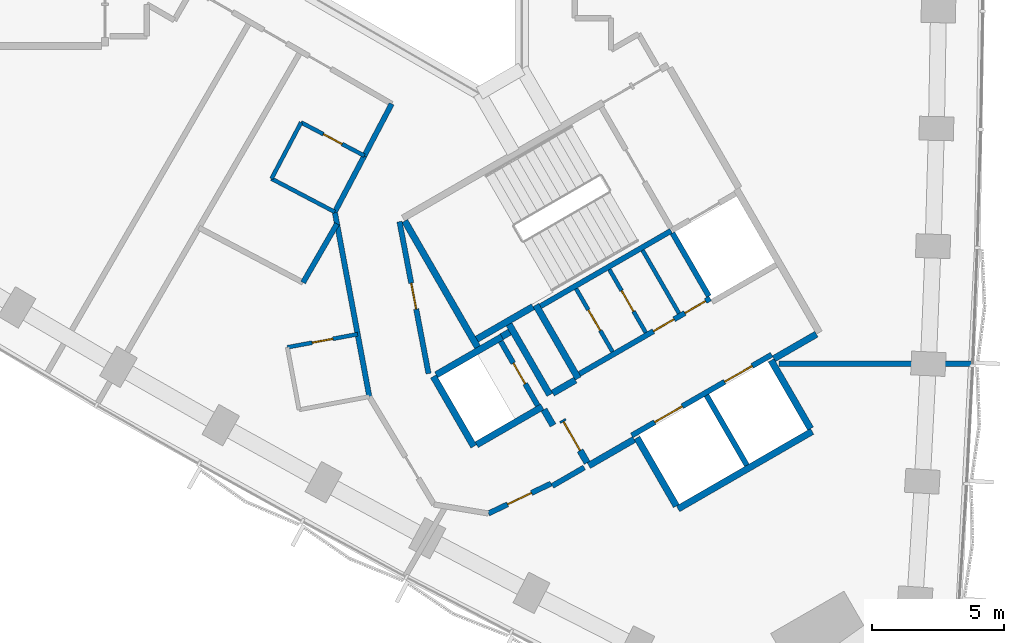
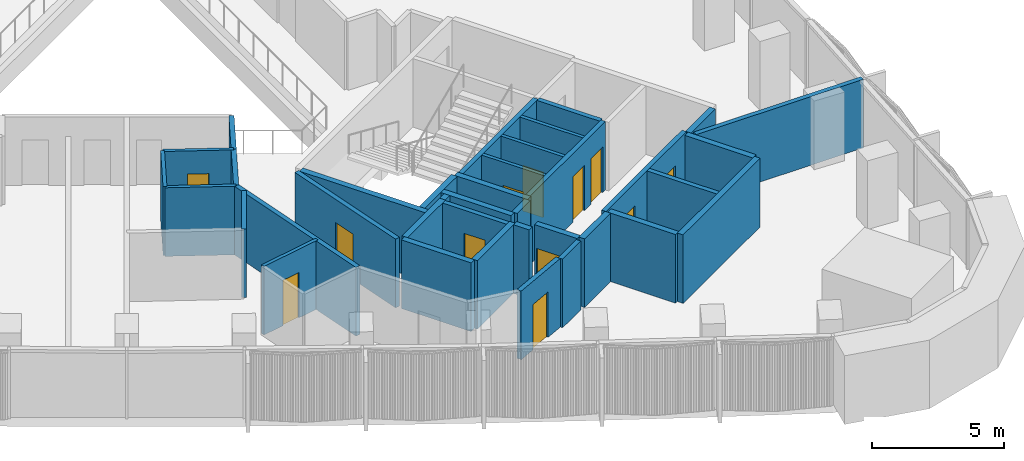
# One storey, part 8 of 15: 37 walls, 12 doors, 12 openings.
"""IFC4 building model written with IfcOpenShell, lengths in metres."""

from ifc_helpers import new_model, si_unit, direction, frame, frame_2d, origin, place, context, subcontext, project, spatial, rectangle, extrude, material, layer, layer_set, type_object, element, fill, save


model = new_model("IFC4")

# Units and contexts
model_context = context("Model", 3, precision=1e-05, world=origin(), true_north=direction((0.0, 1.0)))
body_context = subcontext(model_context, "Body", "Model", "MODEL_VIEW")
ifc_project = project(units=[si_unit("LENGTHUNIT", "METRE"), si_unit("AREAUNIT", "SQUARE_METRE"), si_unit("VOLUMEUNIT", "CUBIC_METRE"), si_unit("PLANEANGLEUNIT", "RADIAN"), si_unit("MASSUNIT", "GRAM", prefix="KILO")], contexts=[model_context])

# Site, building, storey
site_placement = place(None, origin())
site = spatial("IfcSite", under=ifc_project, at=site_placement, CompositionType="ELEMENT")
building_placement = place(site_placement, origin())
building = spatial("IfcBuilding", under=site, at=building_placement, Name="Tamra Quay Hotel Tower", CompositionType="ELEMENT")
storey_placement = place(building_placement, frame((0.0, 0.0, 86.60009765625)))
storey = spatial("IfcBuildingStorey", under=building, at=storey_placement, Name="L20", CompositionType="ELEMENT", Elevation=86.60009765625)

# Wall, openings, doors
ifc_material_1 = material(Name="Concrete M70", Category="concrete")
ifc_layer_1 = layer(ifc_material_1, 0.199951171875)
ifc_layer_set_1 = layer_set([ifc_layer_1], Name="Concrete M70 core wall 200")
wall_type_1 = type_object("IfcWallType", Name="Concrete M70 core wall 200", PredefinedType="SHEAR", material=ifc_layer_set_1)
wall_1_placement = place(storey_placement, frame((9.052490234375, -20.479736328125, 0.0), z_axis=(0.0, 0.0, 1.0), x_axis=(0.866030299012, 0.499991521122, 0.0)))
wall_1 = element("IfcWall", 1, at=wall_1_placement, inside=storey, type_object=wall_type_1, Name="CW2", PredefinedType="SHEAR", context=body_context, shape_type="SweptSolid", body=[
    extrude(rectangle(XDim=6.10009765625, YDim=0.199951171875, at=frame_2d((3.050048828125, 0.0))), origin(), (0.0, 0.0, 1.0), 3.1748046875),
])
opening_1_placement = place(wall_1_placement, frame((1.0, 0.0, 0.0)))
opening_1 = element("IfcOpeningElement", 2, at=opening_1_placement, cuts=wall_1, Name="Opening LD", PredefinedType="OPENING", context=body_context, shape_type="SweptSolid", body=[
    extrude(rectangle(XDim=1.199951171875, YDim=2.10009765625, at=frame_2d((0.60009765625, 1.050048828125))), frame((0.0, 0.10986328125, 0.0), z_axis=(0.0, -1.0, 0.0), x_axis=(1.0, 0.0, 0.0)), (0.0, 0.0, 1.0), 0.219970703125),
])
opening_2_placement = place(wall_1_placement, frame((4.05029296875, 0.0, 0.0)))
opening_2 = element("IfcOpeningElement", 3, at=opening_2_placement, cuts=wall_1, Name="Opening LD", PredefinedType="OPENING", context=body_context, shape_type="SweptSolid", body=[
    extrude(rectangle(XDim=1.199951171875, YDim=2.10009765625, at=frame_2d((0.60009765625, 1.050048828125))), frame((0.0, 0.10986328125, 0.0), z_axis=(0.0, -1.0, 0.0), x_axis=(1.0, 0.0, 0.0)), (0.0, 0.0, 1.0), 0.219970703125),
])
ifc_material_2 = material(Name="Landing door LD 1200 double door sliding")
door_type_1 = type_object("IfcDoorType", Name="Landing door LD 1200 double door sliding", OperationType="DOUBLE_DOOR_SLIDING", PredefinedType="DOOR", material=ifc_material_2)
door_1_placement = place(opening_1_placement, origin())
door_1 = element("IfcDoor", 4, at=door_1_placement, inside=storey, type_object=door_type_1, Name="LD", OperationType="DOUBLE_DOOR_SLIDING", OverallHeight=2.10009765625, OverallWidth=1.199951171875, PredefinedType="DOOR", context=body_context, shape_type="SweptSolid", body=[
    extrude(rectangle(XDim=1.199951171875, YDim=2.10009765625, at=frame_2d((0.60009765625, 1.050048828125))), frame((0.0, 0.02490234375, 0.0), z_axis=(0.0, -1.0, 0.0), x_axis=(1.0, 0.0, 0.0)), (0.0, 0.0, 1.0), 0.050048828125),
])
fill(opening_1, door_1)
door_2_placement = place(opening_2_placement, origin())
door_2 = element("IfcDoor", 5, at=door_2_placement, inside=storey, type_object=door_type_1, Name="LD", OperationType="DOUBLE_DOOR_SLIDING", OverallHeight=2.10009765625, OverallWidth=1.199951171875, PredefinedType="DOOR", context=body_context, shape_type="SweptSolid", body=[
    extrude(rectangle(XDim=1.199951171875, YDim=2.10009765625, at=frame_2d((0.60009765625, 1.050048828125))), frame((0.0, 0.02490234375, 0.0), z_axis=(0.0, -1.0, 0.0), x_axis=(1.0, 0.0, 0.0)), (0.0, 0.0, 1.0), 0.050048828125),
])
fill(opening_2, door_2)

# Wall
wall_2_placement = place(storey_placement, frame((10.537841796875, -12.751953125, 0.0), z_axis=(0.0, 0.0, 1.0), x_axis=(-0.866038630372, -0.499977090179, 0.0)))
element("IfcWall", 6, at=wall_2_placement, inside=storey, type_object=wall_type_1, Name="CW2", PredefinedType="SHEAR", context=body_context, shape_type="SweptSolid", body=[
    extrude(rectangle(XDim=5.698974609375, YDim=0.199951171875, at=frame_2d((2.849609375, 0.0))), origin(), (0.0, 0.0, 1.0), 3.1748046875),
])

# Wall, openings, doors
wall_3_placement = place(storey_placement, frame((7.0771484375, -18.156005859375, 0.0), z_axis=(0.0, 0.0, 1.0), x_axis=(0.866038630372, 0.499977090179, 0.0)))
wall_3 = element("IfcWall", 7, at=wall_3_placement, inside=storey, type_object=wall_type_1, Name="CW2", PredefinedType="SHEAR", context=body_context, shape_type="SweptSolid", body=[
    extrude(rectangle(XDim=5.698974609375, YDim=0.199951171875, at=frame_2d((2.849609375, 0.0))), origin(), (0.0, 0.0, 1.0), 3.1748046875),
])
opening_3_placement = place(wall_3_placement, frame((3.22412109375, 0.0, 0.0)))
opening_3 = element("IfcOpeningElement", 8, at=opening_3_placement, cuts=wall_3, Name="Opening D2", PredefinedType="OPENING", context=body_context, shape_type="SweptSolid", body=[
    extrude(rectangle(XDim=0.89990234375, YDim=2.10009765625, at=frame_2d((0.449951171875, 1.050048828125))), frame((0.0, 0.10986328125, 0.0), z_axis=(0.0, -1.0, 0.0), x_axis=(1.0, 0.0, 0.0)), (0.0, 0.0, 1.0), 0.219970703125),
])
opening_4_placement = place(wall_3_placement, frame((4.59912109375, 0.0, 0.0)))
opening_4 = element("IfcOpeningElement", 9, at=opening_4_placement, cuts=wall_3, Name="Opening D2", PredefinedType="OPENING", context=body_context, shape_type="SweptSolid", body=[
    extrude(rectangle(XDim=0.89990234375, YDim=2.10009765625, at=frame_2d((0.449951171875, 1.050048828125))), frame((0.0, 0.10986328125, 0.0), z_axis=(0.0, -1.0, 0.0), x_axis=(1.0, 0.0, 0.0)), (0.0, 0.0, 1.0), 0.219970703125),
])
ifc_material_3 = material(Name="Core door D2 900x2100 LH")
door_type_2 = type_object("IfcDoorType", Name="Core door D2 900x2100 LH", OperationType="NOTDEFINED", PredefinedType="DOOR", material=ifc_material_3)
door_3_placement = place(opening_3_placement, origin())
door_3 = element("IfcDoor", 10, at=door_3_placement, inside=storey, type_object=door_type_2, Name="D2", OperationType="SINGLE_SWING_LEFT", OverallHeight=2.10009765625, OverallWidth=0.89990234375, PredefinedType="DOOR", context=body_context, shape_type="SweptSolid", body=[
    extrude(rectangle(XDim=0.89990234375, YDim=2.10009765625, at=frame_2d((0.449951171875, 1.050048828125))), frame((0.0, 0.02490234375, 0.0), z_axis=(0.0, -1.0, 0.0), x_axis=(1.0, 0.0, 0.0)), (0.0, 0.0, 1.0), 0.050048828125),
])
fill(opening_3, door_3)
ifc_material_4 = material(Name="Core door D2 900x2100 RH")
door_type_3 = type_object("IfcDoorType", Name="Core door D2 900x2100 RH", OperationType="NOTDEFINED", PredefinedType="DOOR", material=ifc_material_4)
door_4_placement = place(opening_4_placement, origin())
door_4 = element("IfcDoor", 11, at=door_4_placement, inside=storey, type_object=door_type_3, Name="D2", OperationType="SINGLE_SWING_RIGHT", OverallHeight=2.10009765625, OverallWidth=0.89990234375, PredefinedType="DOOR", context=body_context, shape_type="SweptSolid", body=[
    extrude(rectangle(XDim=0.89990234375, YDim=2.10009765625, at=frame_2d((0.449951171875, 1.050048828125))), frame((0.0, 0.02490234375, 0.0), z_axis=(0.0, -1.0, 0.0), x_axis=(1.0, 0.0, 0.0)), (0.0, 0.0, 1.0), 0.050048828125),
])
fill(opening_4, door_4)

# Wall
wall_4_placement = place(storey_placement, frame((11.87451171875, -18.967041015625, 0.0), z_axis=(0.0, 0.0, 1.0), x_axis=(0.49998131003, -0.866036194175, 0.0)))
element("IfcWall", 12, at=wall_4_placement, inside=storey, type_object=wall_type_1, Name="CW2", PredefinedType="SHEAR", context=body_context, shape_type="SweptSolid", body=[
    extrude(rectangle(XDim=3.0478515625, YDim=0.199951171875, at=frame_2d((1.52392578125, 0.0))), origin(), (0.0, 0.0, 1.0), 3.1748046875),
])

# Wall, opening, door
wall_5_placement = place(storey_placement, frame((5.50341796875, -19.352294921875, 0.0), z_axis=(0.0, 0.0, 1.0), x_axis=(-0.499986818241, 0.866033014143, 0.0)))
wall_5 = element("IfcWall", 13, at=wall_5_placement, inside=storey, type_object=wall_type_1, Name="CW2", PredefinedType="SHEAR", context=body_context, shape_type="SweptSolid", body=[
    extrude(rectangle(XDim=2.7978515625, YDim=0.199951171875, at=frame_2d((1.39892578125, 0.0))), origin(), (0.0, 0.0, 1.0), 3.1748046875),
])
opening_5_placement = place(wall_5_placement, frame((0.948974609375, 0.0, 0.0)))
opening_5 = element("IfcOpeningElement", 14, at=opening_5_placement, cuts=wall_5, Name="Opening D1", PredefinedType="OPENING", context=body_context, shape_type="SweptSolid", body=[
    extrude(rectangle(XDim=0.89990234375, YDim=2.10009765625, at=frame_2d((0.449951171875, 1.050048828125))), frame((0.0, 0.10986328125, 0.0), z_axis=(0.0, -1.0, 0.0), x_axis=(1.0, 0.0, 0.0)), (0.0, 0.0, 1.0), 0.219970703125),
])
ifc_material_5 = material(Name="Core door D1 900x2100 LH")
door_type_4 = type_object("IfcDoorType", Name="Core door D1 900x2100 LH", OperationType="NOTDEFINED", PredefinedType="DOOR", material=ifc_material_5)
door_5_placement = place(opening_5_placement, origin())
door_5 = element("IfcDoor", 15, at=door_5_placement, inside=storey, type_object=door_type_4, Name="D1", OperationType="SINGLE_SWING_LEFT", OverallHeight=2.10009765625, OverallWidth=0.89990234375, PredefinedType="DOOR", context=body_context, shape_type="SweptSolid", body=[
    extrude(rectangle(XDim=0.89990234375, YDim=2.10009765625, at=frame_2d((0.449951171875, 1.050048828125))), frame((0.0, 0.02490234375, 0.0), z_axis=(0.0, -1.0, 0.0), x_axis=(1.0, 0.0, 0.0)), (0.0, 0.0, 1.0), 0.050048828125),
])
fill(opening_5, door_5)

# Walls
wall_6_placement = place(storey_placement, frame((11.962646484375, -15.219970703125, 0.0), z_axis=(0.0, 0.0, 1.0), x_axis=(-0.500034990121, 0.866005201286, 0.0)))
element("IfcWall", 16, at=wall_6_placement, inside=storey, type_object=wall_type_1, Name="CW2", PredefinedType="SHEAR", context=body_context, shape_type="SweptSolid", body=[
    extrude(rectangle(XDim=2.749755859375, YDim=0.199951171875, at=frame_2d((1.375, 0.0))), origin(), (0.0, 0.0, 1.0), 3.1748046875),
])
ifc_layer_2 = layer(ifc_material_1, 0.25)
ifc_layer_set_2 = layer_set([ifc_layer_2], Name="Concrete M70 core wall 250")
wall_type_2 = type_object("IfcWallType", Name="Concrete M70 core wall 250", PredefinedType="SHEAR", material=ifc_layer_set_2)
wall_7_placement = place(storey_placement, frame((15.86474609375, -20.328369140625, 0.0), z_axis=(0.0, 0.0, 1.0), x_axis=(-0.86602852612, -0.499994591916, 0.0)))
element("IfcWall", 17, at=wall_7_placement, inside=storey, type_object=wall_type_2, Name="CW1", PredefinedType="SHEAR", context=body_context, shape_type="SweptSolid", body=[
    extrude(rectangle(XDim=5.85009765625, YDim=0.25, at=frame_2d((2.925048828125, 0.0))), origin(), (0.0, 0.0, 1.0), 3.1748046875),
])
wall_8_placement = place(storey_placement, frame((3.23486328125, -17.15283203125, 0.0), z_axis=(0.0, 0.0, 1.0), x_axis=(-0.500008851346, 0.866020293397, 0.0)))
element("IfcWall", 18, at=wall_8_placement, inside=storey, type_object=wall_type_2, Name="CW1", PredefinedType="SHEAR", context=body_context, shape_type="SweptSolid", body=[
    extrude(rectangle(XDim=5.509765625, YDim=0.25, at=frame_2d((2.7548828125, 0.0))), origin(), (0.0, 0.0, 1.0), 3.1748046875),
])
wall_9_placement = place(storey_placement, frame((7.030517578125, -18.327392578125, 0.0), z_axis=(0.0, 0.0, 1.0), x_axis=(-0.499971222258, 0.866042017984, 0.0)))
element("IfcWall", 19, at=wall_9_placement, inside=storey, type_object=wall_type_2, Name="CW1", PredefinedType="SHEAR", context=body_context, shape_type="SweptSolid", body=[
    extrude(rectangle(XDim=3.199951171875, YDim=0.25, at=frame_2d((1.60009765625, 0.0))), origin(), (0.0, 0.0, 1.0), 3.1748046875),
])
for number, where, z_axis, x_axis, name in (
    (20, (14.314697265625, -17.643798828125, 0.0), (0.0, 0.0, 1.0), (0.500023226632, -0.866011993467, 0.0), "CW1"),
    (21, (10.73583984375, -23.144775390625, 0.0), (0.0, 0.0, 1.0), (-0.500023226632, 0.866011993467, 0.0), "CW1"),
):
    element("IfcWall", number, at=place(storey_placement, frame(where, z_axis=z_axis, x_axis=x_axis)), inside=storey, type_object=wall_type_2, Name=name, PredefinedType="SHEAR", context=body_context, shape_type="SweptSolid", body=[
        extrude(rectangle(XDim=2.974365234375, YDim=0.25, at=frame_2d((1.4873046875, 0.0))), origin(), (0.0, 0.0, 1.0), 3.1748046875),
    ])
wall_10_placement = place(storey_placement, frame((3.085205078125, -20.893798828125, 0.0), z_axis=(0.0, 0.0, 1.0), x_axis=(-0.499978833458, 0.866037623948, 0.0)))
element("IfcWall", 22, at=wall_10_placement, inside=storey, type_object=wall_type_2, Name="CW1", PredefinedType="SHEAR", context=body_context, shape_type="SweptSolid", body=[
    extrude(rectangle(XDim=3.050048828125, YDim=0.25, at=frame_2d((1.52490234375, 0.0))), origin(), (0.0, 0.0, 1.0), 3.1748046875),
])
wall_11_placement = place(storey_placement, frame((1.6689453125, -18.189697265625, 0.0), z_axis=(0.0, 0.0, 1.0), x_axis=(0.866042235819, 0.499970844928, 0.0)))
element("IfcWall", 23, at=wall_11_placement, inside=storey, type_object=wall_type_2, Name="CW1", PredefinedType="SHEAR", context=body_context, shape_type="SweptSolid", body=[
    extrude(rectangle(XDim=2.864501953125, YDim=0.25, at=frame_2d((1.43212890625, 0.0))), origin(), (0.0, 0.0, 1.0), 3.1748046875),
])
wall_12_placement = place(storey_placement, frame((5.6748046875, -19.39892578125, 0.0), z_axis=(0.0, 0.0, 1.0), x_axis=(-0.866026637627, -0.499997862916, 0.0)))
element("IfcWall", 24, at=wall_12_placement, inside=storey, type_object=wall_type_2, Name="CW1", PredefinedType="SHEAR", context=body_context, shape_type="SweptSolid", body=[
    extrude(rectangle(XDim=2.86474609375, YDim=0.25, at=frame_2d((1.432373046875, 0.0))), origin(), (0.0, 0.0, 1.0), 3.1748046875),
])
wall_13_placement = place(storey_placement, frame((4.414306640625, -16.275634765625, 0.0), z_axis=(0.0, 0.0, 1.0), x_axis=(0.500003324108, -0.866023484601, 0.0)))
element("IfcWall", 25, at=wall_13_placement, inside=storey, type_object=wall_type_2, Name="CW1", PredefinedType="SHEAR", context=body_context, shape_type="SweptSolid", body=[
    extrude(rectangle(XDim=3.0849609375, YDim=0.25, at=frame_2d((1.54248046875, 0.0))), origin(), (0.0, 0.0, 1.0), 3.1748046875),
])
wall_14_placement = place(storey_placement, frame((5.322021484375, -15.618896484375, 0.0), z_axis=(0.0, 0.0, 1.0), x_axis=(-0.866026229868, -0.499998569178, 0.0)))
element("IfcWall", 26, at=wall_14_placement, inside=storey, type_object=wall_type_2, Name="CW1", PredefinedType="SHEAR", context=body_context, shape_type="SweptSolid", body=[
    extrude(rectangle(XDim=2.44921875, YDim=0.25, at=frame_2d((1.224609375, 0.0))), origin(), (0.0, 0.0, 1.0), 3.1748046875),
])
wall_15_placement = place(storey_placement, frame((9.139892578125, -20.63134765625, 0.0), z_axis=(0.0, 0.0, 1.0), x_axis=(-0.866043531843, -0.499968599967, 0.0)))
element("IfcWall", 27, at=wall_15_placement, inside=storey, type_object=wall_type_2, Name="CW1", PredefinedType="SHEAR", context=body_context, shape_type="SweptSolid", body=[
    extrude(rectangle(XDim=1.974853515625, YDim=0.25, at=frame_2d((0.9873046875, 0.0))), origin(), (0.0, 0.0, 1.0), 3.1748046875),
])
wall_16_placement = place(storey_placement, frame((16.024658203125, -16.656494140625, 0.0), z_axis=(0.0, 0.0, 1.0), x_axis=(-0.866016279763, -0.500015802937, 0.0)))
element("IfcWall", 28, at=wall_16_placement, inside=storey, type_object=wall_type_2, Name="CW1", PredefinedType="SHEAR", context=body_context, shape_type="SweptSolid", body=[
    extrude(rectangle(XDim=1.84912109375, YDim=0.25, at=frame_2d((0.924560546875, 0.0))), origin(), (0.0, 0.0, 1.0), 3.1748046875),
])

# Wall, opening, door
wall_17_placement = place(storey_placement, frame((7.3671875, -21.51025390625, 0.0), z_axis=(0.0, 0.0, 1.0), x_axis=(-0.499983108224, 0.866035156036, 0.0)))
wall_17 = element("IfcWall", 29, at=wall_17_placement, inside=storey, type_object=wall_type_2, Name="CW1", PredefinedType="SHEAR", context=body_context, shape_type="SweptSolid", body=[
    extrude(rectangle(XDim=1.86474609375, YDim=0.25, at=frame_2d((0.932373046875, 0.0))), origin(), (0.0, 0.0, 1.0), 3.1748046875),
])
opening_6_placement = place(wall_17_placement, frame((0.53466796875, 0.0, 0.0)))
opening_6 = element("IfcOpeningElement", 30, at=opening_6_placement, cuts=wall_17, Name="Opening FD3", PredefinedType="OPENING", context=body_context, shape_type="SweptSolid", body=[
    extrude(rectangle(XDim=1.25, YDim=2.10009765625, at=frame_2d((0.625, 1.050048828125))), frame((0.0, 0.135009765625, 0.0), z_axis=(0.0, -1.0, 0.0), x_axis=(1.0, 0.0, 0.0)), (0.0, 0.0, 1.0), 0.27001953125),
])
ifc_material_6 = material(Name="Core door FD3 1250x2100 LH")
door_type_5 = type_object("IfcDoorType", Name="Core door FD3 1250x2100 LH", OperationType="NOTDEFINED", PredefinedType="DOOR", material=ifc_material_6)
door_6_placement = place(opening_6_placement, origin())
door_6 = element("IfcDoor", 31, at=door_6_placement, inside=storey, type_object=door_type_5, Name="FD3", OperationType="SINGLE_SWING_LEFT", OverallHeight=2.10009765625, OverallWidth=1.25, PredefinedType="DOOR", context=body_context, shape_type="SweptSolid", body=[
    extrude(rectangle(XDim=1.25, YDim=2.10009765625, at=frame_2d((0.625, 1.050048828125))), frame((0.0, 0.02490234375, 0.0), z_axis=(0.0, -1.0, 0.0), x_axis=(1.0, 0.0, 0.0)), (0.0, 0.0, 1.0), 0.050048828125),
])
fill(opening_6, door_6)

# Walls
wall_18_placement = place(storey_placement, frame((6.0654296875, -18.884765625, 0.0), z_axis=(0.0, 0.0, 1.0), x_axis=(0.866017078145, 0.500014420154, 0.0)))
element("IfcWall", 32, at=wall_18_placement, inside=storey, type_object=wall_type_2, Name="CW1", PredefinedType="SHEAR", context=body_context, shape_type="SweptSolid", body=[
    extrude(rectangle(XDim=0.9892578125, YDim=0.25, at=frame_2d((0.49462890625, 0.0))), origin(), (0.0, 0.0, 1.0), 3.1748046875),
])
wall_19_placement = place(storey_placement, frame((6.07958984375, -20.100341796875, 0.0), z_axis=(0.0, 0.0, 1.0), x_axis=(-0.500051773299, 0.865995510393, 0.0)))
element("IfcWall", 33, at=wall_19_placement, inside=storey, type_object=wall_type_2, Name="CW1", PredefinedType="SHEAR", context=body_context, shape_type="SweptSolid", body=[
    extrude(rectangle(XDim=0.6845703125, YDim=0.25, at=frame_2d((0.34228515625, 0.0))), origin(), (0.0, 0.0, 1.0), 3.1748046875),
])
wall_20_placement = place(storey_placement, frame((4.144775390625, -16.748779296875, 0.0), z_axis=(0.0, 0.0, 1.0), x_axis=(0.866185586049, 0.49972245349, 0.0)))
element("IfcWall", 34, at=wall_20_placement, inside=storey, type_object=wall_type_2, Name="CW1", PredefinedType="SHEAR", context=body_context, shape_type="SweptSolid", body=[
    extrude(rectangle(XDim=0.344482421875, YDim=0.25, at=frame_2d((0.17236328125, 0.0))), origin(), (0.0, 0.0, 1.0), 3.1748046875),
])

# Wall, opening, door
ifc_material_7 = material(Name="Blockwork", Category="masonry")
ifc_layer_3 = layer(ifc_material_7, 0.14990234375)
ifc_layer_set_3 = layer_set([ifc_layer_3], Name="Core partition block 150")
wall_type_3 = type_object("IfcWallType", Name="Core partition block 150", PredefinedType="PARTITIONING", material=ifc_layer_set_3)
wall_21_placement = place(storey_placement, frame((8.20654296875, -14.214111328125, 0.0), z_axis=(0.0, 0.0, 1.0), x_axis=(0.50002746344, -0.86600954718, 0.0)))
wall_21 = element("IfcWall", 35, at=wall_21_placement, inside=storey, type_object=wall_type_3, Name="CP1", PredefinedType="PARTITIONING", context=body_context, shape_type="SweptSolid", body=[
    extrude(rectangle(XDim=2.748291015625, YDim=0.14990234375, at=frame_2d((1.3740234375, 0.0))), origin(), (0.0, 0.0, 1.0), 3.1748046875),
])
opening_7_placement = place(wall_21_placement, frame((0.92431640625, 0.0, 0.0)))
opening_7 = element("IfcOpeningElement", 36, at=opening_7_placement, cuts=wall_21, Name="Opening D2", PredefinedType="OPENING", context=body_context, shape_type="SweptSolid", body=[
    extrude(rectangle(XDim=0.89990234375, YDim=2.10009765625, at=frame_2d((0.449951171875, 1.050048828125))), frame((0.0, 0.0849609375, 0.0), z_axis=(0.0, -1.0, 0.0), x_axis=(1.0, 0.0, 0.0)), (0.0, 0.0, 1.0), 0.169921875),
])
door_7_placement = place(opening_7_placement, origin())
door_7 = element("IfcDoor", 37, at=door_7_placement, inside=storey, type_object=door_type_3, Name="D2", OperationType="SINGLE_SWING_RIGHT", OverallHeight=2.10009765625, OverallWidth=0.89990234375, PredefinedType="DOOR", context=body_context, shape_type="SweptSolid", body=[
    extrude(rectangle(XDim=0.89990234375, YDim=2.10009765625, at=frame_2d((0.449951171875, 1.050048828125))), frame((0.0, 0.02490234375, 0.0), z_axis=(0.0, -1.0, 0.0), x_axis=(1.0, 0.0, 0.0)), (0.0, 0.0, 1.0), 0.050048828125),
])
fill(opening_7, door_7)

# Wall
wall_22_placement = place(storey_placement, frame((9.46240234375, -13.489013671875, 0.0), z_axis=(0.0, 0.0, 1.0), x_axis=(0.499988999718, -0.866031754707, 0.0)))
element("IfcWall", 38, at=wall_22_placement, inside=storey, type_object=wall_type_3, Name="CP1", PredefinedType="PARTITIONING", context=body_context, shape_type="SweptSolid", body=[
    extrude(rectangle(XDim=2.74853515625, YDim=0.14990234375, at=frame_2d((1.374267578125, 0.0))), origin(), (0.0, 0.0, 1.0), 3.1748046875),
])

# Wall, opening, door
wall_23_placement = place(storey_placement, frame((6.950927734375, -14.93896484375, 0.0), z_axis=(0.0, 0.0, 1.0), x_axis=(0.499988999718, -0.866031754707, 0.0)))
wall_23 = element("IfcWall", 39, at=wall_23_placement, inside=storey, type_object=wall_type_3, Name="CP1", PredefinedType="PARTITIONING", context=body_context, shape_type="SweptSolid", body=[
    extrude(rectangle(XDim=2.74853515625, YDim=0.14990234375, at=frame_2d((1.374267578125, 0.0))), origin(), (0.0, 0.0, 1.0), 3.1748046875),
])
opening_8_placement = place(wall_23_placement, frame((0.92431640625, 0.0, 0.0)))
opening_8 = element("IfcOpeningElement", 40, at=opening_8_placement, cuts=wall_23, Name="Opening D2", PredefinedType="OPENING", context=body_context, shape_type="SweptSolid", body=[
    extrude(rectangle(XDim=0.89990234375, YDim=2.10009765625, at=frame_2d((0.449951171875, 1.050048828125))), frame((0.0, 0.0849609375, 0.0), z_axis=(0.0, -1.0, 0.0), x_axis=(1.0, 0.0, 0.0)), (0.0, 0.0, 1.0), 0.169921875),
])
door_8_placement = place(opening_8_placement, origin())
door_8 = element("IfcDoor", 41, at=door_8_placement, inside=storey, type_object=door_type_2, Name="D2", OperationType="SINGLE_SWING_LEFT", OverallHeight=2.10009765625, OverallWidth=0.89990234375, PredefinedType="DOOR", context=body_context, shape_type="SweptSolid", body=[
    extrude(rectangle(XDim=0.89990234375, YDim=2.10009765625, at=frame_2d((0.449951171875, 1.050048828125))), frame((0.0, 0.02490234375, 0.0), z_axis=(0.0, -1.0, 0.0), x_axis=(1.0, 0.0, 0.0)), (0.0, 0.0, 1.0), 0.050048828125),
])
fill(opening_8, door_8)

# Walls
ifc_material_8 = material(Name="Partition corridor wall")
ifc_layer_4 = layer(ifc_material_8, 0.199951171875)
ifc_layer_set_4 = layer_set([ifc_layer_4], Name="Partition corridor wall")
wall_type_4 = type_object("IfcWallType", Name="Partition corridor wall", PredefinedType="PARTITIONING", material=ifc_layer_set_4)
wall_24_placement = place(storey_placement, frame((-2.162109375, -12.0419921875, 0.0), z_axis=(0.0, 0.0, 1.0), x_axis=(0.183916574427, -0.982941856699, 0.0)))
element("IfcWall", 42, at=wall_24_placement, inside=storey, type_object=wall_type_4, Name="W-C", PredefinedType="PARTITIONING", context=body_context, shape_type="SweptSolid", body=[
    extrude(rectangle(XDim=7.093994140625, YDim=0.199951171875, at=frame_2d((3.546875, 0.0))), origin(), (0.0, 0.0, 1.0), 3.1748046875),
])
wall_25_placement = place(storey_placement, frame((-2.162109375, -12.041015625, 0.0), z_axis=(0.0, 0.0, 1.0), x_axis=(0.465704706438, 0.884940182386, 0.0)))
element("IfcWall", 43, at=wall_25_placement, inside=storey, type_object=wall_type_4, Name="W-C", PredefinedType="PARTITIONING", context=body_context, shape_type="SweptSolid", body=[
    extrude(rectangle(XDim=2.41162109375, YDim=0.199951171875, at=frame_2d((1.205810546875, 0.0))), origin(), (0.0, 0.0, 1.0), 3.1748046875),
])
wall_26_placement = place(storey_placement, frame((-1.050048828125, -9.928955078125, 0.0), z_axis=(0.0, 0.0, 1.0), x_axis=(0.465502300996, 0.885046669825, 0.0)))
element("IfcWall", 44, at=wall_26_placement, inside=storey, type_object=wall_type_4, Name="W-C", PredefinedType="PARTITIONING", context=body_context, shape_type="SweptSolid", body=[
    extrude(rectangle(XDim=2.225830078125, YDim=0.199951171875, at=frame_2d((1.11279296875, 0.0))), origin(), (0.0, 0.0, 1.0), 3.1748046875),
])

# Wall, opening, door
wall_27_placement = place(storey_placement, frame((0.28076171875, -12.40625, 0.0), z_axis=(0.0, 0.0, 1.0), x_axis=(0.187814940093, -0.982204433037, 0.0)))
wall_27 = element("IfcWall", 45, at=wall_27_placement, inside=storey, type_object=wall_type_4, Name="W-C", PredefinedType="PARTITIONING", context=body_context, shape_type="SweptSolid", body=[
    extrude(rectangle(XDim=5.841796875, YDim=0.199951171875, at=frame_2d((2.9208984375, 0.0))), origin(), (0.0, 0.0, 1.0), 3.1748046875),
])
opening_9_placement = place(wall_27_placement, frame((2.36328125, 0.0, 0.0)))
opening_9 = element("IfcOpeningElement", 46, at=opening_9_placement, cuts=wall_27, Name="Opening L20-D016", PredefinedType="OPENING", context=body_context, shape_type="SweptSolid", body=[
    extrude(rectangle(XDim=1.0, YDim=2.10009765625, at=frame_2d((0.5, 1.050048828125))), frame((0.0, 0.10986328125, 0.0), z_axis=(0.0, -1.0, 0.0), x_axis=(1.0, 0.0, 0.0)), (0.0, 0.0, 1.0), 0.219970703125),
])
ifc_material_9 = material(Name="Door guest room 1000x2100")
door_type_6 = type_object("IfcDoorType", Name="Door guest room 1000x2100", OperationType="NOTDEFINED", PredefinedType="DOOR", material=ifc_material_9)
door_9_placement = place(opening_9_placement, origin())
door_9 = element("IfcDoor", 47, at=door_9_placement, inside=storey, type_object=door_type_6, Name="L20-D016", OperationType="SINGLE_SWING_LEFT", OverallHeight=2.10009765625, OverallWidth=1.0, PredefinedType="DOOR", context=body_context, shape_type="SweptSolid", body=[
    extrude(rectangle(XDim=1.0, YDim=2.10009765625, at=frame_2d((0.5, 1.050048828125))), frame((0.0, 0.02490234375, 0.0), z_axis=(0.0, -1.0, 0.0), x_axis=(1.0, 0.0, 0.0)), (0.0, 0.0, 1.0), 0.050048828125),
])
fill(opening_9, door_9)

wall_28_placement = place(storey_placement, frame((3.64306640625, -23.426025390625, 0.0), z_axis=(0.0, 0.0, 1.0), x_axis=(0.902344142508, 0.431016297233, 0.0)))
wall_28 = element("IfcWall", 48, at=wall_28_placement, inside=storey, type_object=wall_type_4, Name="W-C", PredefinedType="PARTITIONING", context=body_context, shape_type="SweptSolid", body=[
    extrude(rectangle(XDim=2.616455078125, YDim=0.199951171875, at=frame_2d((1.30810546875, 0.0))), origin(), (0.0, 0.0, 1.0), 3.1748046875),
])
opening_10_placement = place(wall_28_placement, frame((0.800048828125, 0.0, 0.0)))
opening_10 = element("IfcOpeningElement", 49, at=opening_10_placement, cuts=wall_28, Name="Opening L20-D019", PredefinedType="OPENING", context=body_context, shape_type="SweptSolid", body=[
    extrude(rectangle(XDim=1.0, YDim=2.10009765625, at=frame_2d((0.5, 1.050048828125))), frame((0.0, 0.10986328125, 0.0), z_axis=(0.0, -1.0, 0.0), x_axis=(1.0, 0.0, 0.0)), (0.0, 0.0, 1.0), 0.219970703125),
])
door_10_placement = place(opening_10_placement, frame((1.0, 0.0, 0.0), z_axis=(0.0, 0.0, 1.0), x_axis=(-1.0, 0.0, 0.0)))
door_10 = element("IfcDoor", 50, at=door_10_placement, inside=storey, type_object=door_type_6, Name="L20-D019", OperationType="SINGLE_SWING_LEFT", OverallHeight=2.10009765625, OverallWidth=1.0, PredefinedType="DOOR", context=body_context, shape_type="SweptSolid", body=[
    extrude(rectangle(XDim=1.0, YDim=2.10009765625, at=frame_2d((0.5, 1.050048828125))), frame((0.0, 0.02490234375, 0.0), z_axis=(0.0, -1.0, 0.0), x_axis=(1.0, 0.0, 0.0)), (0.0, 0.0, 1.0), 0.050048828125),
])
fill(opening_10, door_10)

# Walls
wall_29_placement = place(storey_placement, frame((6.053955078125, -22.385009765625, 0.0), z_axis=(0.0, 0.0, 1.0), x_axis=(0.86593101922, 0.500163443238, 0.0)))
element("IfcWall", 51, at=wall_29_placement, inside=storey, type_object=wall_type_4, Name="W-C", PredefinedType="PARTITIONING", context=body_context, shape_type="SweptSolid", body=[
    extrude(rectangle(XDim=1.3896484375, YDim=0.199951171875, at=frame_2d((0.69482421875, 0.0))), origin(), (0.0, 0.0, 1.0), 3.1748046875),
])
ifc_material_10 = material(Name="Partition en-suite wall")
ifc_layer_5 = layer(ifc_material_10, 0.14990234375)
ifc_layer_set_5 = layer_set([ifc_layer_5], Name="Partition en-suite wall")
wall_type_5 = type_object("IfcWallType", Name="Partition en-suite wall", PredefinedType="PARTITIONING", material=ifc_layer_set_5)
wall_30_placement = place(storey_placement, frame((-4.552001953125, -10.784912109375, 0.0), z_axis=(0.0, 0.0, 1.0), x_axis=(0.465750624965, 0.884916015984, 0.0)))
element("IfcWall", 52, at=wall_30_placement, inside=storey, type_object=wall_type_5, Name="W-E", PredefinedType="PARTITIONING", context=body_context, shape_type="SweptSolid", body=[
    extrude(rectangle(XDim=2.400146484375, YDim=0.14990234375, at=frame_2d((1.2001953125, 0.0))), origin(), (0.0, 0.0, 1.0), 3.1748046875),
])
wall_31_placement = place(storey_placement, frame((-4.552001953125, -10.784912109375, 0.0), z_axis=(0.0, 0.0, 1.0), x_axis=(0.885033905544, -0.465526568562, 0.0)))
element("IfcWall", 53, at=wall_31_placement, inside=storey, type_object=wall_type_5, Name="W-E", PredefinedType="PARTITIONING", context=body_context, shape_type="SweptSolid", body=[
    extrude(rectangle(XDim=2.700439453125, YDim=0.14990234375, at=frame_2d((1.35009765625, 0.0))), origin(), (0.0, 0.0, 1.0), 3.1748046875),
])

# Wall, opening, door
wall_32_placement = place(storey_placement, frame((-3.950927734375, -17.152099609375, 0.0), z_axis=(0.0, 0.0, 1.0), x_axis=(0.982935667801, 0.183949647907, 0.0)))
wall_32 = element("IfcWall", 54, at=wall_32_placement, inside=storey, type_object=wall_type_5, Name="W-E", PredefinedType="PARTITIONING", context=body_context, shape_type="SweptSolid", body=[
    extrude(rectangle(XDim=2.697021484375, YDim=0.14990234375, at=frame_2d((1.3486328125, 0.0))), origin(), (0.0, 0.0, 1.0), 3.1748046875),
])
opening_11_placement = place(wall_32_placement, frame((0.947998046875, 0.0, 0.0)))
opening_11 = element("IfcOpeningElement", 55, at=opening_11_placement, cuts=wall_32, Name="Opening L20-D018", PredefinedType="OPENING", context=body_context, shape_type="SweptSolid", body=[
    extrude(rectangle(XDim=0.800048828125, YDim=2.10009765625, at=frame_2d((0.39990234375, 1.050048828125))), frame((0.0, 0.0849609375, 0.0), z_axis=(0.0, -1.0, 0.0), x_axis=(1.0, 0.0, 0.0)), (0.0, 0.0, 1.0), 0.169921875),
])
ifc_material_11 = material(Name="Door en-suite 800x2100")
door_type_7 = type_object("IfcDoorType", Name="Door en-suite 800x2100", OperationType="NOTDEFINED", PredefinedType="DOOR", material=ifc_material_11)
door_11_placement = place(opening_11_placement, frame((0.800048828125, 0.0, 0.0), z_axis=(0.0, 0.0, 1.0), x_axis=(-1.0, 0.0, 0.0)))
door_11 = element("IfcDoor", 56, at=door_11_placement, inside=storey, type_object=door_type_7, Name="L20-D018", OperationType="SINGLE_SWING_LEFT", OverallHeight=2.10009765625, OverallWidth=0.800048828125, PredefinedType="DOOR", context=body_context, shape_type="SweptSolid", body=[
    extrude(rectangle(XDim=0.800048828125, YDim=2.10009765625, at=frame_2d((0.39990234375, 1.050048828125))), frame((0.0, 0.02490234375, 0.0), z_axis=(0.0, -1.0, 0.0), x_axis=(1.0, 0.0, 0.0)), (0.0, 0.0, 1.0), 0.050048828125),
])
fill(opening_11, door_11)

wall_33_placement = place(storey_placement, frame((-3.43408203125, -8.660888671875, 0.0), z_axis=(0.0, 0.0, 1.0), x_axis=(0.884975104075, -0.465638341599, 0.0)))
wall_33 = element("IfcWall", 57, at=wall_33_placement, inside=storey, type_object=wall_type_5, Name="W-E", PredefinedType="PARTITIONING", context=body_context, shape_type="SweptSolid", body=[
    extrude(rectangle(XDim=2.69970703125, YDim=0.14990234375, at=frame_2d((1.349853515625, 0.0))), origin(), (0.0, 0.0, 1.0), 3.1748046875),
])
opening_12_placement = place(wall_33_placement, frame((0.949951171875, 0.0, 0.0)))
opening_12 = element("IfcOpeningElement", 58, at=opening_12_placement, cuts=wall_33, Name="Opening L20-D015", PredefinedType="OPENING", context=body_context, shape_type="SweptSolid", body=[
    extrude(rectangle(XDim=0.800048828125, YDim=2.10009765625, at=frame_2d((0.39990234375, 1.050048828125))), frame((0.0, 0.0849609375, 0.0), z_axis=(0.0, -1.0, 0.0), x_axis=(1.0, 0.0, 0.0)), (0.0, 0.0, 1.0), 0.169921875),
])
door_12_placement = place(opening_12_placement, frame((0.800048828125, 0.0, 0.0), z_axis=(0.0, 0.0, 1.0), x_axis=(-1.0, 0.0, 0.0)))
door_12 = element("IfcDoor", 59, at=door_12_placement, inside=storey, type_object=door_type_7, Name="L20-D015", OperationType="SINGLE_SWING_LEFT", OverallHeight=2.10009765625, OverallWidth=0.800048828125, PredefinedType="DOOR", context=body_context, shape_type="SweptSolid", body=[
    extrude(rectangle(XDim=0.800048828125, YDim=2.10009765625, at=frame_2d((0.39990234375, 1.050048828125))), frame((0.0, 0.02490234375, 0.0), z_axis=(0.0, -1.0, 0.0), x_axis=(1.0, 0.0, 0.0)), (0.0, 0.0, 1.0), 0.050048828125),
])
fill(opening_12, door_12)

# Walls
ifc_material_12 = material(Name="Partition party wall")
ifc_layer_6 = layer(ifc_material_12, 0.199951171875)
ifc_layer_set_6 = layer_set([ifc_layer_6], Name="Partition party wall")
wall_type_6 = type_object("IfcWallType", Name="Partition party wall", PredefinedType="PARTITIONING", material=ifc_layer_set_6)
wall_34_placement = place(storey_placement, frame((-3.35888671875, -14.70703125, 0.0), z_axis=(0.0, 0.0, 1.0), x_axis=(0.500126728047, 0.865952224948, 0.0)))
element("IfcWall", 60, at=wall_34_placement, inside=storey, type_object=wall_type_6, Name="W-P", PredefinedType="PARTITIONING", context=body_context, shape_type="SweptSolid", body=[
    extrude(rectangle(XDim=2.561279296875, YDim=0.199951171875, at=frame_2d((1.28076171875, 0.0))), origin(), (0.0, 0.0, 1.0), 3.1748046875),
])
wall_35_placement = place(storey_placement, frame((14.60302734375, -17.77294921875, 0.0), z_axis=(0.0, 0.0, 1.0), x_axis=(1.0, 0.0, 0.0)))
element("IfcWall", 61, at=wall_35_placement, inside=storey, type_object=wall_type_6, Name="W-P", PredefinedType="PARTITIONING", context=body_context, shape_type="SweptSolid", body=[
    extrude(rectangle(XDim=7.3203125, YDim=0.199951171875, at=frame_2d((3.66015625, 0.0))), origin(), (0.0, 0.0, 1.0), 3.1748046875),
])

save(model, "model.ifc")
